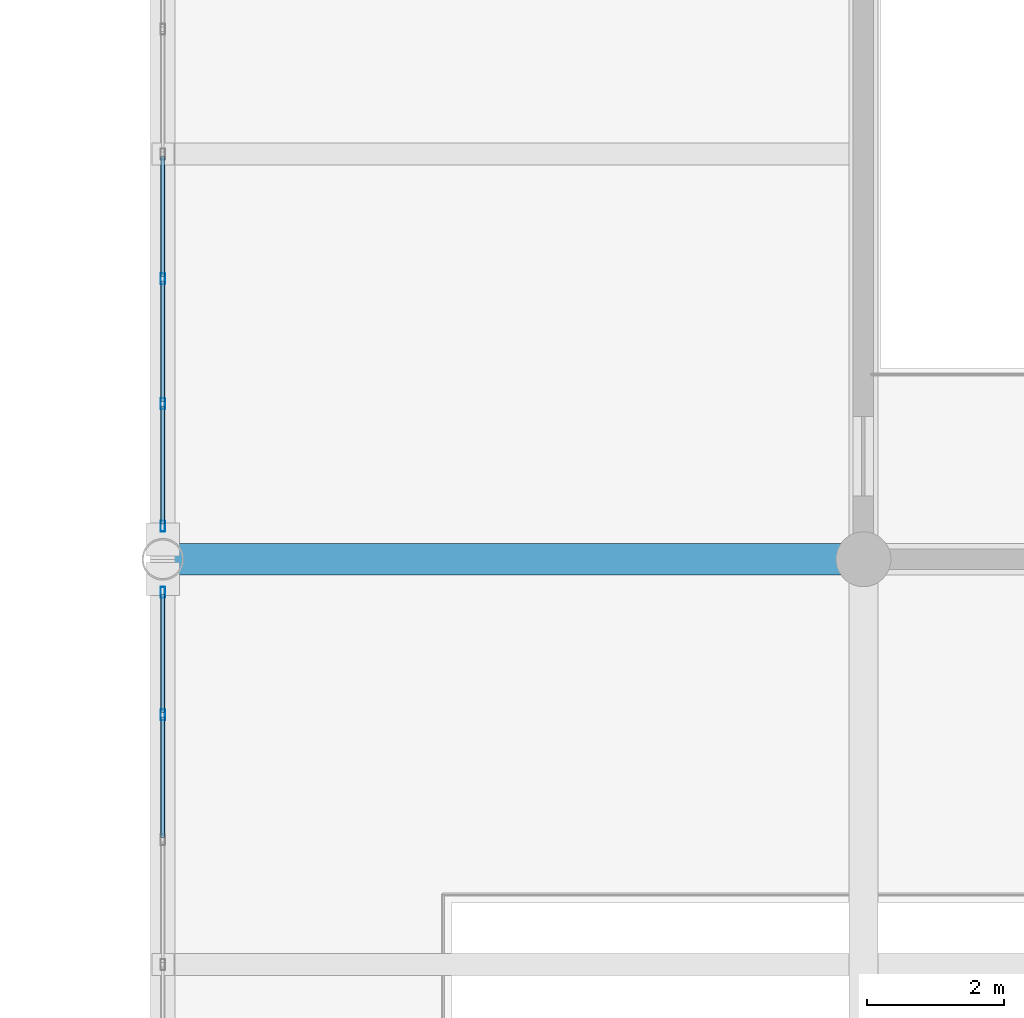
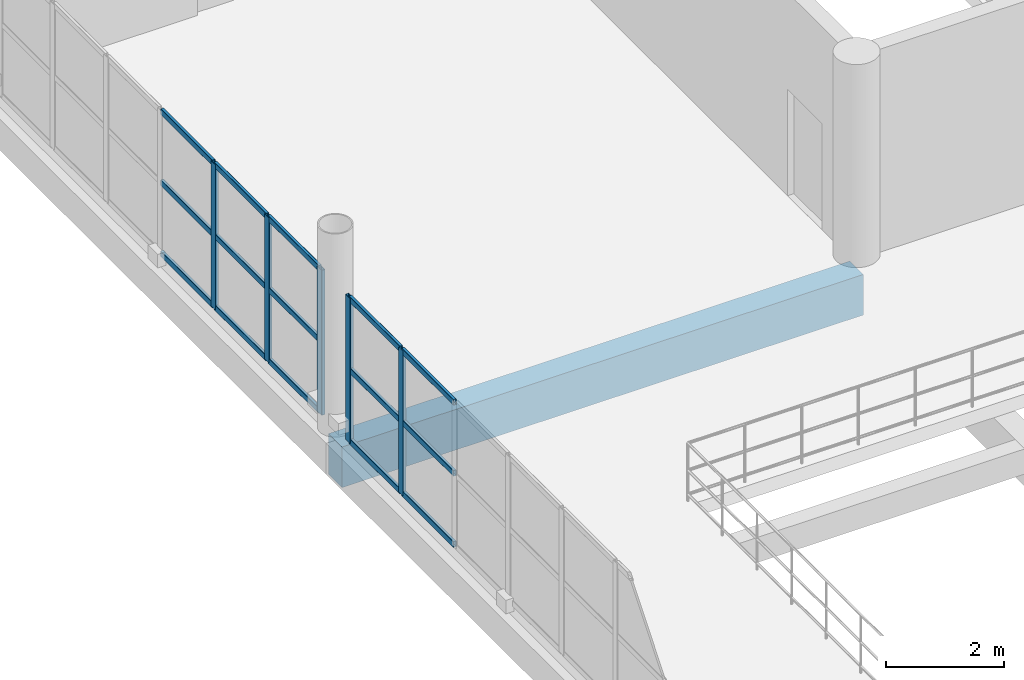
# One storey, part 71 of 157: 20 members, 1 beam, 2 elements without a shape of their own.
"""IFC4 building model written with IfcOpenShell, lengths in metres."""

import ifcopenshell
import ifcopenshell.guid

model = None  # the IFC model being written
_history = None  # IfcOwnerHistory: only IFC2X3 demands one
_inside = {}  # id of a spatial element -> (the spatial element, [elements in it])
_under = {}  # id of a project, library or spatial element -> (it, [spatial elements below it])
_declared = {}  # id of a project -> (the project, [libraries it declares])
_typed = {}  # id of a type object -> (the type object, [elements of that type])
_made_of = {}  # id of a material, layer set ... -> (it, [elements and type objects made of it])


def new_model(schema):
    """Start an empty IFC model of exactly this schema.

    Asked for "IFC4X3", IfcOpenShell would pick the latest addendum, in which some entities
    have other attributes; the version numbers below select the first issue.
    IFC2X3 requires an IfcOwnerHistory on every rooted entity: one is made here for all.
    """
    global model, _history
    if schema == "IFC4X3":
        model = ifcopenshell.file(schema_version=(4, 3, 0, 0))
    else:
        model = ifcopenshell.file(schema=schema)
    _inside.clear()
    _under.clear()
    _declared.clear()
    _typed.clear()
    _made_of.clear()
    _history = None
    if model.schema == "IFC2X3":
        org = make("IfcOrganization", Name="unknown")
        user = make(
            "IfcPersonAndOrganization",
            ThePerson=make("IfcPerson", FamilyName="unknown"),
            TheOrganization=org,
        )
        app = make(
            "IfcApplication",
            ApplicationDeveloper=org,
            Version="unknown",
            ApplicationFullName="unknown",
            ApplicationIdentifier="unknown",
        )
        _history = make(
            "IfcOwnerHistory",
            OwningUser=user,
            OwningApplication=app,
            ChangeAction="ADDED",
            CreationDate=0,
        )
    return model


def make(cls, **values):
    """One entity of the class cls with the attributes given. An attribute that is None is left unset."""
    return model.create_entity(
        cls, **{name: value for name, value in values.items() if value is not None}
    )


def rooted(cls, **values):
    """An entity with a GlobalId (a new one), such as an element, a storey or a relation."""
    return make(cls, GlobalId=ifcopenshell.guid.new(), OwnerHistory=_history, **values)


def si_unit(unit_type, name, prefix=None):
    """IfcSIUnit, for example si_unit("LENGTHUNIT", "METRE", prefix="MILLI")."""
    return make("IfcSIUnit", UnitType=unit_type, Prefix=prefix, Name=name)


def assignment(units):
    """IfcUnitAssignment: the units of a project."""
    return None if units is None else make("IfcUnitAssignment", Units=units)


def point(xyz):
    """IfcCartesianPoint."""
    return None if xyz is None else make("IfcCartesianPoint", Coordinates=xyz)


def direction(xyz):
    """IfcDirection."""
    return None if xyz is None else make("IfcDirection", DirectionRatios=xyz)


def frame(location, z_axis=None, x_axis=None):
    """IfcAxis2Placement3D, a coordinate frame: its origin and axes. An axis left out is left unset."""
    return make(
        "IfcAxis2Placement3D",
        Location=point(location),
        Axis=direction(z_axis),
        RefDirection=direction(x_axis),
    )


def frame_2d(location, x_axis=None):
    """IfcAxis2Placement2D, a coordinate frame in the plane: its origin and x axis."""
    return make(
        "IfcAxis2Placement2D", Location=point(location), RefDirection=direction(x_axis)
    )


def origin():
    """The frame at (0, 0, 0) with its axes left unset."""
    return frame((0.0, 0.0, 0.0))


def origin_2d():
    """The frame at (0, 0) in the plane with its x axis left unset."""
    return frame_2d((0.0, 0.0))


def place(relative_to, where):
    """IfcLocalPlacement: puts the frame where relative to a parent placement (None: the world)."""
    return make(
        "IfcLocalPlacement", PlacementRelTo=relative_to, RelativePlacement=where
    )


def context(
    kind, dimensions, precision=None, world=None, true_north=None, identifier=None
):
    """IfcGeometricRepresentationContext, for example the 3D "Model" context."""
    return make(
        "IfcGeometricRepresentationContext",
        ContextIdentifier=identifier,
        ContextType=kind,
        CoordinateSpaceDimension=dimensions,
        Precision=precision,
        WorldCoordinateSystem=world,
        TrueNorth=true_north,
    )


def subcontext(parent, identifier, kind, view, scale=None):
    """IfcGeometricRepresentationSubContext, for example "Body" below "Model"."""
    return make(
        "IfcGeometricRepresentationSubContext",
        ContextIdentifier=identifier,
        ContextType=kind,
        ParentContext=parent,
        TargetScale=scale,
        TargetView=view,
    )


def project(units=None, contexts=None):
    """IfcProject with its units and contexts."""
    return rooted(
        "IfcProject",
        Name="project",
        RepresentationContexts=contexts,
        UnitsInContext=assignment(units),
    )


def spatial(cls, under=None, at=None, **own):
    """A site, building, storey or space (cls), placed at a placement, below another one or the project."""
    s = rooted(cls, ObjectPlacement=at, **own)
    if under is not None:
        _under.setdefault(under.id(), (under, []))[1].append(s)
    return s


def profile(cls, at=None, kind="AREA", **sizes):
    """A parametric profile (cls). Its sizes go by their IFC names, for example OverallWidth=200.0."""
    return make(cls, ProfileType=kind, Position=at, **sizes)


def rectangle(**sizes):
    """IfcRectangleProfileDef."""
    return profile("IfcRectangleProfileDef", **sizes)


def hollow_rectangle(**sizes):
    """IfcRectangleHollowProfileDef."""
    return profile("IfcRectangleHollowProfileDef", **sizes)


def extrude(swept, where, along, depth):
    """IfcExtrudedAreaSolid: the profile swept, set in the frame where, extruded along a direction by depth."""
    return make(
        "IfcExtrudedAreaSolid",
        SweptArea=swept,
        Position=where,
        ExtrudedDirection=direction(along),
        Depth=depth,
    )


def shape(context_of_items, identifier, shape_type, items):
    """IfcShapeRepresentation: the items that make up one representation, for example the "Body"."""
    return make(
        "IfcShapeRepresentation",
        ContextOfItems=context_of_items,
        RepresentationIdentifier=identifier,
        RepresentationType=shape_type,
        Items=items,
    )


def material(Name=None, Category=None):
    """IfcMaterial."""
    return make("IfcMaterial", Name=Name, Category=Category)


def material_profile(
    of_material, cross_section, Name=None, Category=None, Priority=None
):
    """IfcMaterialProfile: a cross section and its material."""
    return make(
        "IfcMaterialProfile",
        Name=Name,
        Material=of_material,
        Profile=cross_section,
        Priority=Priority,
        Category=Category,
    )


def profile_set(profiles, Name=None, composite=None):
    """IfcMaterialProfileSet."""
    return make(
        "IfcMaterialProfileSet",
        Name=Name,
        MaterialProfiles=profiles,
        CompositeProfile=composite,
    )


def made_of(thing, what):
    """Note that an element or type object is made of a material, layer set ...; save() writes the relation."""
    if what is not None:
        _made_of.setdefault(what.id(), (what, []))[1].append(thing)
    return thing


def type_object(cls, material=None, **own):
    """A type object (cls), such as IfcWallType, which elements share."""
    return made_of(rooted(cls, **own), material)


def element(
    cls,
    number,
    at=None,
    inside=None,
    cuts=None,
    type_object=None,
    material=None,
    context=None,
    identifier="Body",
    shape_type=None,
    held_by="IfcProductDefinitionShape",
    body=None,
    shapes=None,
    **own,
):
    """One element of the class cls, such as IfcWall. Its Tag is "e" and its number.

    at: its placement. inside: the storey or other place that contains it. cuts: it is an
    opening in that element (IfcRelVoidsElement). A single representation is given by context,
    identifier, shape_type and body (its items); several are given by shapes. held_by: the class
    of the entity that holds the representations. save() writes the other relations.
    """
    e = rooted(cls, Tag="e%d" % number, ObjectPlacement=at, **own)
    if body is not None:
        shapes = [shape(context, identifier, shape_type, body)]
    if shapes is not None:
        e.Representation = make(held_by, Representations=shapes)
    if inside is not None:
        _inside.setdefault(inside.id(), (inside, []))[1].append(e)
    if cuts is not None:
        rooted(
            "IfcRelVoidsElement", RelatingBuildingElement=cuts, RelatedOpeningElement=e
        )
    if type_object is not None:
        _typed.setdefault(type_object.id(), (type_object, []))[1].append(e)
    return made_of(e, material)


def aggregate(whole, parts):
    """IfcRelAggregates: a whole, such as a stair, and the parts it consists of."""
    return rooted("IfcRelAggregates", RelatingObject=whole, RelatedObjects=parts)


def save(model, path):
    """Write the relations noted so far, then the file.

    IfcRelAggregates (storeys below a building ...), IfcRelContainedInSpatialStructure (elements
    in a storey), IfcRelDefinesByType, IfcRelAssociatesMaterial and IfcRelDeclares: one each for
    every whole, place, type object, material and project.
    """
    for whole, parts in _under.values():
        aggregate(whole, parts)
    for where, things in _inside.values():
        rooted(
            "IfcRelContainedInSpatialStructure",
            RelatedElements=things,
            RelatingStructure=where,
        )
    for kind, things in _typed.values():
        rooted("IfcRelDefinesByType", RelatedObjects=things, RelatingType=kind)
    for what, things in _made_of.values():
        rooted("IfcRelAssociatesMaterial", RelatedObjects=things, RelatingMaterial=what)
    for by, libraries in _declared.values():
        rooted("IfcRelDeclares", RelatingContext=by, RelatedDefinitions=libraries)
    model.write(path)


model = new_model("IFC4")

# Units and contexts
model_context = context("Model", 3, precision=1e-05, world=origin(), true_north=direction((0.0, 1.0)))
body_context = subcontext(model_context, "Body", "Model", "MODEL_VIEW")
ifc_project = project(units=[si_unit("LENGTHUNIT", "METRE"), si_unit("AREAUNIT", "SQUARE_METRE"), si_unit("VOLUMEUNIT", "CUBIC_METRE"), si_unit("PLANEANGLEUNIT", "RADIAN"), si_unit("MASSUNIT", "GRAM", prefix="KILO")], contexts=[model_context])

# Site, building, storey
site_placement = place(None, origin())
site = spatial("IfcSite", under=ifc_project, at=site_placement, CompositionType="ELEMENT")
building_placement = place(site_placement, origin())
building = spatial("IfcBuilding", under=site, at=building_placement, Name="Brelvane Convention Centre", CompositionType="ELEMENT")
storey_placement = place(building_placement, frame((0.0, 0.0, 10.800048828125)))
storey = spatial("IfcBuildingStorey", under=building, at=storey_placement, Name="L02", CompositionType="ELEMENT", Elevation=10.800048828125)

# Curtain wall, members
ifc_material_1 = material(Name="Anodised Aluminium Alloy 6063-T6", Category="aluminium")
curtain_wall_type = type_object("IfcCurtainWallType", Name="Curtain Wall CW-CONC", PredefinedType="USERDEFINED", material=ifc_material_1)
curtain_wall_1_placement = place(storey_placement, origin())
curtain_wall_1 = element("IfcCurtainWall", 1, at=curtain_wall_1_placement, inside=storey, type_object=curtain_wall_type, Name="Curtain Wall CW-CONC L02-GAL-ATRIUM-W-3", ObjectType="UNITISED", PredefinedType="USERDEFINED")
ifc_material_2 = material(Name="Anodised Aluminium Alloy 6063-T6", Category="aluminium")
ifc_material_profile_1 = material_profile(ifc_material_2, hollow_rectangle(XDim=0.06494140625, YDim=0.159912109375, WallThickness=0.00390625, InnerFilletRadius=0.00390625, OuterFilletRadius=0.008056640625, at=origin_2d()), Name="ALU-M 160x65x4.0")
ifc_profile_set_1 = profile_set([ifc_material_profile_1], Name="Anodised Aluminium Alloy 6063-T6")
member_type_1 = type_object("IfcMemberType", Name="Curtain Mullion CW-M3", PredefinedType="MULLION", material=ifc_profile_set_1)
member_1_placement = place(storey_placement, frame((142.800048828125, 73.7333984375, 0.0), z_axis=(0.0, 0.0, 1.0), x_axis=(-1.0, 0.0, 0.0)))
member_1 = element("IfcMember", 2, at=member_1_placement, type_object=member_type_1, Name="CW-CONC mullion 6", PredefinedType="MULLION", context=body_context, shape_type="SweptSolid", body=[
    extrude(hollow_rectangle(XDim=0.06494140625, YDim=0.159912109375, WallThickness=0.00390625, InnerFilletRadius=0.00390625, OuterFilletRadius=0.008056640625, at=origin_2d()), origin(), (0.0, 0.0, 1.0), 3.0),
])
member_2_placement = place(storey_placement, frame((142.800048828125, 75.517578125, 0.0), z_axis=(0.0, 0.0, 1.0), x_axis=(-1.0, 0.0, 0.0)))
member_2 = element("IfcMember", 3, at=member_2_placement, type_object=member_type_1, Name="CW-CONC mullion 7", PredefinedType="MULLION", context=body_context, shape_type="SweptSolid", body=[
    extrude(hollow_rectangle(XDim=0.06494140625, YDim=0.159912109375, WallThickness=0.00390625, InnerFilletRadius=0.00390625, OuterFilletRadius=0.008056640625, at=origin_2d()), origin(), (0.0, 0.0, 1.0), 3.0),
])

curtain_wall_2_placement = place(storey_placement, origin())
curtain_wall_2 = element("IfcCurtainWall", 4, at=curtain_wall_2_placement, inside=storey, type_object=curtain_wall_type, Name="Curtain Wall CW-CONC L02-GAL-ATRIUM-W-4", ObjectType="UNITISED", PredefinedType="USERDEFINED")
member_3_placement = place(storey_placement, frame((142.800048828125, 76.482421875, 0.0), z_axis=(0.0, 0.0, 1.0), x_axis=(-1.0, 0.0, 0.0)))
member_3 = element("IfcMember", 5, at=member_3_placement, type_object=member_type_1, Name="CW-CONC mullion 1", PredefinedType="MULLION", context=body_context, shape_type="SweptSolid", body=[
    extrude(hollow_rectangle(XDim=0.06494140625, YDim=0.159912109375, WallThickness=0.00390625, InnerFilletRadius=0.00390625, OuterFilletRadius=0.008056640625, at=origin_2d()), origin(), (0.0, 0.0, 1.0), 3.0),
])
member_4_placement = place(storey_placement, frame((142.800048828125, 78.2666015625, 0.0), z_axis=(0.0, 0.0, 1.0), x_axis=(-1.0, 0.0, 0.0)))
member_4 = element("IfcMember", 6, at=member_4_placement, type_object=member_type_1, Name="CW-CONC mullion 2", PredefinedType="MULLION", context=body_context, shape_type="SweptSolid", body=[
    extrude(hollow_rectangle(XDim=0.06494140625, YDim=0.159912109375, WallThickness=0.00390625, InnerFilletRadius=0.00390625, OuterFilletRadius=0.008056640625, at=origin_2d()), origin(), (0.0, 0.0, 1.0), 3.0),
])
member_5_placement = place(storey_placement, frame((142.800048828125, 80.083251953125, 0.0), z_axis=(0.0, 0.0, 1.0), x_axis=(-1.0, 0.0, 0.0)))
member_5 = element("IfcMember", 7, at=member_5_placement, type_object=member_type_1, Name="CW-CONC mullion 3", PredefinedType="MULLION", context=body_context, shape_type="SweptSolid", body=[
    extrude(hollow_rectangle(XDim=0.06494140625, YDim=0.159912109375, WallThickness=0.00390625, InnerFilletRadius=0.00390625, OuterFilletRadius=0.008056640625, at=origin_2d()), origin(), (0.0, 0.0, 1.0), 3.0),
])

# Member
ifc_material_3 = material(Name="Anodised Aluminium Alloy 6063-T6", Category="aluminium")
ifc_material_profile_2 = material_profile(ifc_material_3, hollow_rectangle(XDim=0.06005859375, YDim=0.1201171875, WallThickness=0.00390625, InnerFilletRadius=0.00390625, OuterFilletRadius=0.008056640625, at=origin_2d()), Name="ALU-T 120x60x4.0")
ifc_profile_set_2 = profile_set([ifc_material_profile_2], Name="Anodised Aluminium Alloy 6063-T6")
member_type_2 = type_object("IfcMemberType", Name="Curtain Transom CW-T3", PredefinedType="USERDEFINED", material=ifc_profile_set_2)
member_6_placement = place(storey_placement, frame((142.800048828125, 71.94921875, 0.030029296875), z_axis=(0.0, 1.0, 0.0), x_axis=(-1.0, 0.0, 0.0)))
member_6 = element("IfcMember", 8, at=member_6_placement, type_object=member_type_2, Name="CW-CONC transom 5.1", ObjectType="TRANSOM", PredefinedType="USERDEFINED", context=body_context, shape_type="SweptSolid", body=[
    extrude(hollow_rectangle(XDim=0.06005859375, YDim=0.1201171875, WallThickness=0.00390625, InnerFilletRadius=0.00390625, OuterFilletRadius=0.008056640625, at=origin_2d()), origin(), (0.0, 0.0, 1.0), 1.751708984375),
])

member_7_placement = place(storey_placement, frame((142.800048828125, 71.94921875, 1.5), z_axis=(0.0, 1.0, 0.0), x_axis=(-1.0, 0.0, 0.0)))
member_7 = element("IfcMember", 9, at=member_7_placement, type_object=member_type_2, Name="CW-CONC transom 5.2", ObjectType="TRANSOM", PredefinedType="USERDEFINED", context=body_context, shape_type="SweptSolid", body=[
    extrude(hollow_rectangle(XDim=0.06005859375, YDim=0.1201171875, WallThickness=0.00390625, InnerFilletRadius=0.00390625, OuterFilletRadius=0.008056640625, at=origin_2d()), origin(), (0.0, 0.0, 1.0), 1.751708984375),
])

member_8_placement = place(storey_placement, frame((142.800048828125, 71.94921875, 2.969970703125), z_axis=(0.0, 1.0, 0.0), x_axis=(-1.0, 0.0, 0.0)))
member_8 = element("IfcMember", 10, at=member_8_placement, type_object=member_type_2, Name="CW-CONC transom 5.3", ObjectType="TRANSOM", PredefinedType="USERDEFINED", context=body_context, shape_type="SweptSolid", body=[
    extrude(hollow_rectangle(XDim=0.06005859375, YDim=0.1201171875, WallThickness=0.00390625, InnerFilletRadius=0.00390625, OuterFilletRadius=0.008056640625, at=origin_2d()), origin(), (0.0, 0.0, 1.0), 1.751708984375),
])

member_9_placement = place(storey_placement, frame((142.800048828125, 73.765869140625, 0.030029296875), z_axis=(0.0, 1.0, 0.0), x_axis=(-1.0, 0.0, 0.0)))
member_9 = element("IfcMember", 11, at=member_9_placement, type_object=member_type_2, Name="CW-CONC transom 6.1", ObjectType="TRANSOM", PredefinedType="USERDEFINED", context=body_context, shape_type="SweptSolid", body=[
    extrude(hollow_rectangle(XDim=0.06005859375, YDim=0.1201171875, WallThickness=0.00390625, InnerFilletRadius=0.00390625, OuterFilletRadius=0.008056640625, at=origin_2d()), origin(), (0.0, 0.0, 1.0), 1.71923828125),
])

member_10_placement = place(storey_placement, frame((142.800048828125, 73.765869140625, 1.5), z_axis=(0.0, 1.0, 0.0), x_axis=(-1.0, 0.0, 0.0)))
member_10 = element("IfcMember", 12, at=member_10_placement, type_object=member_type_2, Name="CW-CONC transom 6.2", ObjectType="TRANSOM", PredefinedType="USERDEFINED", context=body_context, shape_type="SweptSolid", body=[
    extrude(hollow_rectangle(XDim=0.06005859375, YDim=0.1201171875, WallThickness=0.00390625, InnerFilletRadius=0.00390625, OuterFilletRadius=0.008056640625, at=origin_2d()), origin(), (0.0, 0.0, 1.0), 1.71923828125),
])

member_11_placement = place(storey_placement, frame((142.800048828125, 73.765869140625, 2.969970703125), z_axis=(0.0, 1.0, 0.0), x_axis=(-1.0, 0.0, 0.0)))
member_11 = element("IfcMember", 13, at=member_11_placement, type_object=member_type_2, Name="CW-CONC transom 6.3", ObjectType="TRANSOM", PredefinedType="USERDEFINED", context=body_context, shape_type="SweptSolid", body=[
    extrude(hollow_rectangle(XDim=0.06005859375, YDim=0.1201171875, WallThickness=0.00390625, InnerFilletRadius=0.00390625, OuterFilletRadius=0.008056640625, at=origin_2d()), origin(), (0.0, 0.0, 1.0), 1.71923828125),
])

aggregate(curtain_wall_1, [member_1, member_2, member_6, member_7, member_8, member_9, member_10, member_11])

member_12_placement = place(storey_placement, frame((142.800048828125, 76.514892578125, 0.030029296875), z_axis=(0.0, 1.0, 0.0), x_axis=(-1.0, 0.0, 0.0)))
member_12 = element("IfcMember", 14, at=member_12_placement, type_object=member_type_2, Name="CW-CONC transom 1.1", ObjectType="TRANSOM", PredefinedType="USERDEFINED", context=body_context, shape_type="SweptSolid", body=[
    extrude(hollow_rectangle(XDim=0.06005859375, YDim=0.1201171875, WallThickness=0.00390625, InnerFilletRadius=0.00390625, OuterFilletRadius=0.008056640625, at=origin_2d()), origin(), (0.0, 0.0, 1.0), 1.71923828125),
])

member_13_placement = place(storey_placement, frame((142.800048828125, 76.514892578125, 1.5), z_axis=(0.0, 1.0, 0.0), x_axis=(-1.0, 0.0, 0.0)))
member_13 = element("IfcMember", 15, at=member_13_placement, type_object=member_type_2, Name="CW-CONC transom 1.2", ObjectType="TRANSOM", PredefinedType="USERDEFINED", context=body_context, shape_type="SweptSolid", body=[
    extrude(hollow_rectangle(XDim=0.06005859375, YDim=0.1201171875, WallThickness=0.00390625, InnerFilletRadius=0.00390625, OuterFilletRadius=0.008056640625, at=origin_2d()), origin(), (0.0, 0.0, 1.0), 1.71923828125),
])

member_14_placement = place(storey_placement, frame((142.800048828125, 76.514892578125, 2.969970703125), z_axis=(0.0, 1.0, 0.0), x_axis=(-1.0, 0.0, 0.0)))
member_14 = element("IfcMember", 16, at=member_14_placement, type_object=member_type_2, Name="CW-CONC transom 1.3", ObjectType="TRANSOM", PredefinedType="USERDEFINED", context=body_context, shape_type="SweptSolid", body=[
    extrude(hollow_rectangle(XDim=0.06005859375, YDim=0.1201171875, WallThickness=0.00390625, InnerFilletRadius=0.00390625, OuterFilletRadius=0.008056640625, at=origin_2d()), origin(), (0.0, 0.0, 1.0), 1.71923828125),
])

member_15_placement = place(storey_placement, frame((142.800048828125, 78.299072265625, 0.030029296875), z_axis=(0.0, 1.0, 0.0), x_axis=(-1.0, 0.0, 0.0)))
member_15 = element("IfcMember", 17, at=member_15_placement, type_object=member_type_2, Name="CW-CONC transom 2.1", ObjectType="TRANSOM", PredefinedType="USERDEFINED", context=body_context, shape_type="SweptSolid", body=[
    extrude(hollow_rectangle(XDim=0.06005859375, YDim=0.1201171875, WallThickness=0.00390625, InnerFilletRadius=0.00390625, OuterFilletRadius=0.008056640625, at=origin_2d()), origin(), (0.0, 0.0, 1.0), 1.751708984375),
])

member_16_placement = place(storey_placement, frame((142.800048828125, 78.299072265625, 1.5), z_axis=(0.0, 1.0, 0.0), x_axis=(-1.0, 0.0, 0.0)))
member_16 = element("IfcMember", 18, at=member_16_placement, type_object=member_type_2, Name="CW-CONC transom 2.2", ObjectType="TRANSOM", PredefinedType="USERDEFINED", context=body_context, shape_type="SweptSolid", body=[
    extrude(hollow_rectangle(XDim=0.06005859375, YDim=0.1201171875, WallThickness=0.00390625, InnerFilletRadius=0.00390625, OuterFilletRadius=0.008056640625, at=origin_2d()), origin(), (0.0, 0.0, 1.0), 1.751708984375),
])

member_17_placement = place(storey_placement, frame((142.800048828125, 78.299072265625, 2.969970703125), z_axis=(0.0, 1.0, 0.0), x_axis=(-1.0, 0.0, 0.0)))
member_17 = element("IfcMember", 19, at=member_17_placement, type_object=member_type_2, Name="CW-CONC transom 2.3", ObjectType="TRANSOM", PredefinedType="USERDEFINED", context=body_context, shape_type="SweptSolid", body=[
    extrude(hollow_rectangle(XDim=0.06005859375, YDim=0.1201171875, WallThickness=0.00390625, InnerFilletRadius=0.00390625, OuterFilletRadius=0.008056640625, at=origin_2d()), origin(), (0.0, 0.0, 1.0), 1.751708984375),
])

member_18_placement = place(storey_placement, frame((142.800048828125, 80.11572265625, 0.030029296875), z_axis=(0.0, 1.0, 0.0), x_axis=(-1.0, 0.0, 0.0)))
member_18 = element("IfcMember", 20, at=member_18_placement, type_object=member_type_2, Name="CW-CONC transom 3.1", ObjectType="TRANSOM", PredefinedType="USERDEFINED", context=body_context, shape_type="SweptSolid", body=[
    extrude(hollow_rectangle(XDim=0.06005859375, YDim=0.1201171875, WallThickness=0.00390625, InnerFilletRadius=0.00390625, OuterFilletRadius=0.008056640625, at=origin_2d()), origin(), (0.0, 0.0, 1.0), 1.751708984375),
])

member_19_placement = place(storey_placement, frame((142.800048828125, 80.11572265625, 1.5), z_axis=(0.0, 1.0, 0.0), x_axis=(-1.0, 0.0, 0.0)))
member_19 = element("IfcMember", 21, at=member_19_placement, type_object=member_type_2, Name="CW-CONC transom 3.2", ObjectType="TRANSOM", PredefinedType="USERDEFINED", context=body_context, shape_type="SweptSolid", body=[
    extrude(hollow_rectangle(XDim=0.06005859375, YDim=0.1201171875, WallThickness=0.00390625, InnerFilletRadius=0.00390625, OuterFilletRadius=0.008056640625, at=origin_2d()), origin(), (0.0, 0.0, 1.0), 1.751708984375),
])

member_20_placement = place(storey_placement, frame((142.800048828125, 80.11572265625, 2.969970703125), z_axis=(0.0, 1.0, 0.0), x_axis=(-1.0, 0.0, 0.0)))
member_20 = element("IfcMember", 22, at=member_20_placement, type_object=member_type_2, Name="CW-CONC transom 3.3", ObjectType="TRANSOM", PredefinedType="USERDEFINED", context=body_context, shape_type="SweptSolid", body=[
    extrude(hollow_rectangle(XDim=0.06005859375, YDim=0.1201171875, WallThickness=0.00390625, InnerFilletRadius=0.00390625, OuterFilletRadius=0.008056640625, at=origin_2d()), origin(), (0.0, 0.0, 1.0), 1.751708984375),
])

aggregate(curtain_wall_2, [member_3, member_4, member_5, member_12, member_13, member_14, member_15, member_16, member_17, member_18, member_19, member_20])

# Beam
ifc_material_4 = material(Name="Concrete M40", Category="concrete")
ifc_material_profile_3 = material_profile(ifc_material_4, rectangle(XDim=0.4599609375, YDim=0.840087890625, at=origin_2d()), Name="RC 460x840")
ifc_profile_set_3 = profile_set([ifc_material_profile_3], Name="Concrete M40")
beam_type = type_object("IfcBeamType", Name="RC Beam B-RC11 (RC 460x840)", PredefinedType="BEAM", material=ifc_profile_set_3)
beam_placement = place(storey_placement, frame((142.800048828125, 76.0, -0.699951171875), z_axis=(1.0, 0.0, 0.0), x_axis=(0.0, 1.0, 0.0)))
element("IfcBeam", 23, at=beam_placement, inside=storey, type_object=beam_type, Name="L02 Beam 15-16/H", PredefinedType="BEAM", context=body_context, shape_type="SweptSolid", body=[
    extrude(rectangle(XDim=0.4599609375, YDim=0.840087890625, at=origin_2d()), origin(), (0.0, 0.0, 1.0), 10.199951171875),
])

save(model, "model.ifc")
